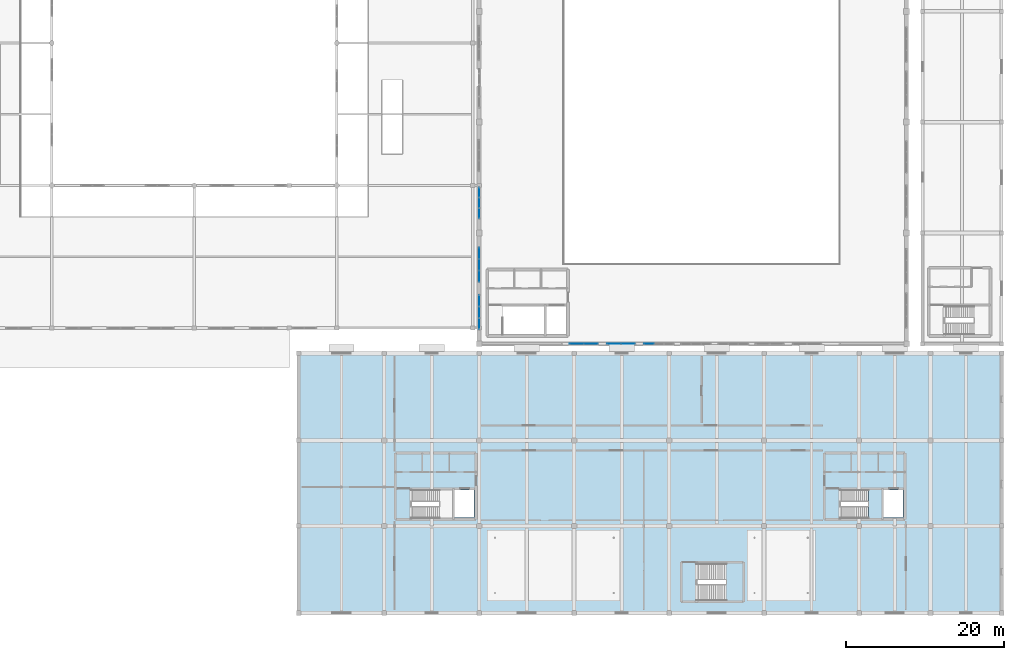
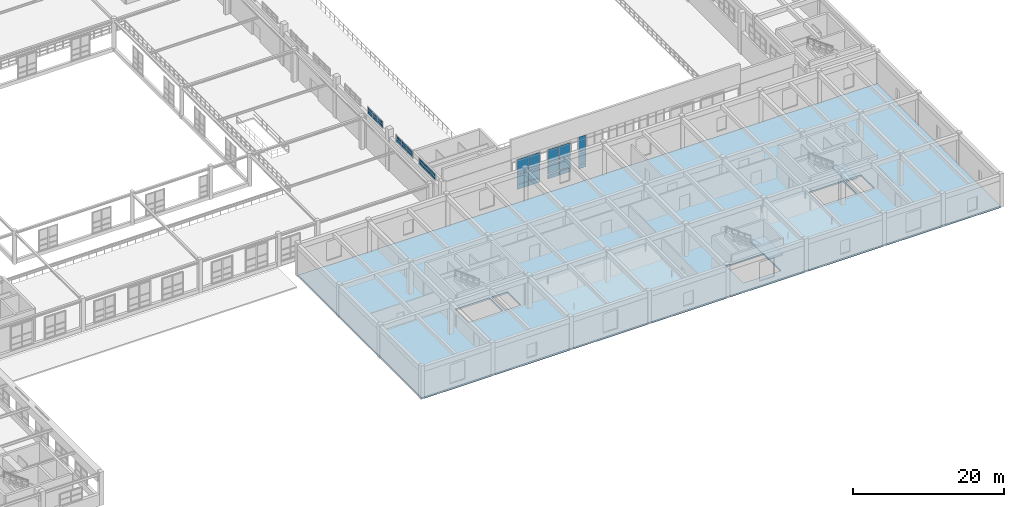
# One storey, part 162 of 197: 33 plates, 3 slabs, 8 elements without a shape of their own.
"""IFC4 building model written with IfcOpenShell, lengths in metres."""

from ifc_helpers import new_model, si_unit, derived_unit, direction, frame, origin, origin_2d, place, context, subcontext, project, spatial, polyline, rectangle, outline, extrude, material, layer, layer_set, type_object, element, aggregate, save


model = new_model("IFC4")

# Units and contexts
model_context = context("Model", 3, precision=1e-05, world=origin(), true_north=direction((0.0, 1.0)))
body_context = subcontext(model_context, "Body", "Model", "MODEL_VIEW")
ifc_project = project(units=[si_unit("LENGTHUNIT", "METRE"), si_unit("AREAUNIT", "SQUARE_METRE"), si_unit("VOLUMEUNIT", "CUBIC_METRE"), si_unit("PLANEANGLEUNIT", "RADIAN"), si_unit("MASSUNIT", "GRAM", prefix="KILO"), derived_unit("THERMALTRANSMITTANCEUNIT", [(si_unit("POWERUNIT", "WATT"), 1), (si_unit("LENGTHUNIT", "METRE"), -2), (si_unit("THERMODYNAMICTEMPERATUREUNIT", "KELVIN"), -1)])], contexts=[model_context])

# Site, building, storey
site_placement = place(None, origin())
site = spatial("IfcSite", under=ifc_project, at=site_placement, CompositionType="ELEMENT")
building_placement = place(site_placement, origin())
building = spatial("IfcBuilding", under=site, at=building_placement, Name="Almenara Railside Exhibition Hall", CompositionType="ELEMENT")
storey_placement = place(building_placement, frame((0.0, 0.0, 5.39990234375)))
storey = spatial("IfcBuildingStorey", under=building, at=storey_placement, Name="L01", CompositionType="ELEMENT", Elevation=5.39990234375)

# Curtain wall, plates
ifc_material_1 = material(Name="Bronze-anodised aluminium and low-E double glazing", Category="aluminium")
ifc_layer_1 = layer(ifc_material_1, 0.179931640625, Name="Bronze-anodised aluminium and low-E double glazing")
ifc_layer_set_1 = layer_set([ifc_layer_1], Name="Bronze-anodised aluminium and low-E double glazing")
curtain_wall_type_1 = type_object("IfcCurtainWallType", Name="East Hall Clerestory Curtain Wall 4000x2100", PredefinedType="NOTDEFINED", material=ifc_layer_set_1)
curtain_wall_1_placement = place(storey_placement, origin())
curtain_wall_1 = element("IfcCurtainWall", 1, at=curtain_wall_1_placement, inside=storey, type_object=curtain_wall_type_1, Name="Curtain wall CW-CL4-055", PredefinedType="NOTDEFINED")
ifc_material_2 = material(Name="Solar-control acoustic laminated glazing", Category="glass")
ifc_layer_2 = layer(ifc_material_2, 0.031982421875, Name="Solar-control acoustic laminated glazing")
ifc_layer_set_2 = layer_set([ifc_layer_2], Name="Solar-control acoustic laminated glazing")
plate_type_1 = type_object("IfcPlateType", Name="Acoustic Low-E Double Glazing Panel 32mm", PredefinedType="CURTAIN_PANEL", material=ifc_layer_set_2)
plate_1_placement = place(storey_placement, frame((138.0, 50.484130859375, 5.593994140625), z_axis=(0.0, 0.0, 1.0), x_axis=(0.0, 1.0, 0.0)))
plate_1 = element("IfcPlate", 2, at=plate_1_placement, type_object=plate_type_1, Name="CW-CL4-055 panel 1.1", PredefinedType="CURTAIN_PANEL", context=body_context, shape_type="SweptSolid", body=[
    extrude(rectangle(XDim=1.244384765625, YDim=0.031982421875, at=origin_2d()), origin(), (0.0, 0.0, 1.0), 0.39208984375),
])
plate_2_placement = place(storey_placement, frame((138.0, 50.484130859375, 6.114013671875), z_axis=(0.0, 0.0, 1.0), x_axis=(0.0, 1.0, 0.0)))
plate_2 = element("IfcPlate", 3, at=plate_2_placement, type_object=plate_type_1, Name="CW-CL4-055 panel 1.2", PredefinedType="CURTAIN_PANEL", context=body_context, shape_type="SweptSolid", body=[
    extrude(rectangle(XDim=1.244384765625, YDim=0.031982421875, at=origin_2d()), origin(), (0.0, 0.0, 1.0), 0.39208984375),
])
plate_3_placement = place(storey_placement, frame((138.0, 51.800048828125, 5.593994140625), z_axis=(0.0, 0.0, 1.0), x_axis=(0.0, 1.0, 0.0)))
plate_3 = element("IfcPlate", 4, at=plate_3_placement, type_object=plate_type_1, Name="CW-CL4-055 panel 2.1", PredefinedType="CURTAIN_PANEL", context=body_context, shape_type="SweptSolid", body=[
    extrude(rectangle(XDim=1.279296875, YDim=0.031982421875, at=origin_2d()), origin(), (0.0, 0.0, 1.0), 0.39208984375),
])
plate_4_placement = place(storey_placement, frame((138.0, 51.800048828125, 6.114013671875), z_axis=(0.0, 0.0, 1.0), x_axis=(0.0, 1.0, 0.0)))
plate_4 = element("IfcPlate", 5, at=plate_4_placement, type_object=plate_type_1, Name="CW-CL4-055 panel 2.2", PredefinedType="CURTAIN_PANEL", context=body_context, shape_type="SweptSolid", body=[
    extrude(rectangle(XDim=1.279296875, YDim=0.031982421875, at=origin_2d()), origin(), (0.0, 0.0, 1.0), 0.39208984375),
])
plate_5_placement = place(storey_placement, frame((138.0, 53.11572265625, 5.593994140625), z_axis=(0.0, 0.0, 1.0), x_axis=(0.0, 1.0, 0.0)))
plate_5 = element("IfcPlate", 6, at=plate_5_placement, type_object=plate_type_1, Name="CW-CL4-055 panel 3.1", PredefinedType="CURTAIN_PANEL", context=body_context, shape_type="SweptSolid", body=[
    extrude(rectangle(XDim=1.244384765625, YDim=0.031982421875, at=origin_2d()), origin(), (0.0, 0.0, 1.0), 0.39208984375),
])
plate_6_placement = place(storey_placement, frame((138.0, 53.11572265625, 6.114013671875), z_axis=(0.0, 0.0, 1.0), x_axis=(0.0, 1.0, 0.0)))
plate_6 = element("IfcPlate", 7, at=plate_6_placement, type_object=plate_type_1, Name="CW-CL4-055 panel 3.2", PredefinedType="CURTAIN_PANEL", context=body_context, shape_type="SweptSolid", body=[
    extrude(rectangle(XDim=1.244384765625, YDim=0.031982421875, at=origin_2d()), origin(), (0.0, 0.0, 1.0), 0.39208984375),
])
aggregate(curtain_wall_1, [plate_1, plate_2, plate_3, plate_4, plate_5, plate_6])

ifc_layer_3 = layer(ifc_material_1, 0.179931640625, Name="Bronze-anodised aluminium and low-E double glazing")
ifc_layer_set_3 = layer_set([ifc_layer_3], Name="Bronze-anodised aluminium and low-E double glazing")
curtain_wall_type_2 = type_object("IfcCurtainWallType", Name="Scroll Gable Standard Curtain Wall 3600x5000", PredefinedType="NOTDEFINED", material=ifc_layer_set_3)
curtain_wall_2_placement = place(storey_placement, origin())
curtain_wall_2 = element("IfcCurtainWall", 8, at=curtain_wall_2_placement, inside=storey, type_object=curtain_wall_type_2, Name="Curtain wall CW-G2-080", PredefinedType="NOTDEFINED")
plate_7_placement = place(storey_placement, frame((155.017578125, 34.0, 1.194091796875), z_axis=(0.0, 0.0, 1.0), x_axis=(1.0, 0.0, 0.0)))
plate_7 = element("IfcPlate", 9, at=plate_7_placement, type_object=plate_type_1, Name="CW-G2-080 panel 1.1", PredefinedType="CURTAIN_PANEL", context=body_context, shape_type="SweptSolid", body=[
    extrude(rectangle(XDim=1.7109375, YDim=0.031982421875, at=origin_2d()), origin(), (0.0, 0.0, 1.0), 0.64208984375),
])
plate_8_placement = place(storey_placement, frame((155.017578125, 34.0, 1.964111328125), z_axis=(0.0, 0.0, 1.0), x_axis=(1.0, 0.0, 0.0)))
plate_8 = element("IfcPlate", 10, at=plate_8_placement, type_object=plate_type_1, Name="CW-G2-080 panel 1.2", PredefinedType="CURTAIN_PANEL", context=body_context, shape_type="SweptSolid", body=[
    extrude(rectangle(XDim=1.7109375, YDim=0.031982421875, at=origin_2d()), origin(), (0.0, 0.0, 1.0), 1.52197265625),
])
plate_9_placement = place(storey_placement, frame((155.017578125, 34.0, 3.614013671875), z_axis=(0.0, 0.0, 1.0), x_axis=(1.0, 0.0, 0.0)))
plate_9 = element("IfcPlate", 11, at=plate_9_placement, type_object=plate_type_1, Name="CW-G2-080 panel 1.3", PredefinedType="CURTAIN_PANEL", context=body_context, shape_type="SweptSolid", body=[
    extrude(rectangle(XDim=1.7109375, YDim=0.031982421875, at=origin_2d()), origin(), (0.0, 0.0, 1.0), 2.2919921875),
])
plate_10_placement = place(storey_placement, frame((156.782470703125, 34.0, 1.194091796875), z_axis=(0.0, 0.0, 1.0), x_axis=(1.0, 0.0, 0.0)))
plate_10 = element("IfcPlate", 12, at=plate_10_placement, type_object=plate_type_1, Name="CW-G2-080 panel 2.1", PredefinedType="CURTAIN_PANEL", context=body_context, shape_type="SweptSolid", body=[
    extrude(rectangle(XDim=1.7109375, YDim=0.031982421875, at=origin_2d()), origin(), (0.0, 0.0, 1.0), 0.64208984375),
])
plate_11_placement = place(storey_placement, frame((156.782470703125, 34.0, 1.964111328125), z_axis=(0.0, 0.0, 1.0), x_axis=(1.0, 0.0, 0.0)))
plate_11 = element("IfcPlate", 13, at=plate_11_placement, type_object=plate_type_1, Name="CW-G2-080 panel 2.2", PredefinedType="CURTAIN_PANEL", context=body_context, shape_type="SweptSolid", body=[
    extrude(rectangle(XDim=1.7109375, YDim=0.031982421875, at=origin_2d()), origin(), (0.0, 0.0, 1.0), 1.52197265625),
])
plate_12_placement = place(storey_placement, frame((156.782470703125, 34.0, 3.614013671875), z_axis=(0.0, 0.0, 1.0), x_axis=(1.0, 0.0, 0.0)))
plate_12 = element("IfcPlate", 14, at=plate_12_placement, type_object=plate_type_1, Name="CW-G2-080 panel 2.3", PredefinedType="CURTAIN_PANEL", context=body_context, shape_type="SweptSolid", body=[
    extrude(rectangle(XDim=1.7109375, YDim=0.031982421875, at=origin_2d()), origin(), (0.0, 0.0, 1.0), 2.2919921875),
])
aggregate(curtain_wall_2, [plate_7, plate_8, plate_9, plate_10, plate_11, plate_12])

# Slab
ifc_material_3 = material(Name="Concrete C35/45", Category="concrete")
ifc_layer_4 = layer(ifc_material_3, 0.260009765625, Name="Concrete C35/45")
ifc_layer_set_4 = layer_set([ifc_layer_4], Name="Concrete C35/45")
slab_type_1 = type_object("IfcSlabType", Name="Congress Suspended Slab 260mm C35/45", PredefinedType="FLOOR", material=ifc_layer_set_4)
slab_1_placement = place(storey_placement, frame((0.0, 0.0, -0.260009765625)))
element("IfcSlab", 15, at=slab_1_placement, inside=storey, type_object=slab_type_1, Name="Congress South L01 slab 016", PredefinedType="FLOOR", context=body_context, shape_type="SweptSolid", body=[
    extrude(outline(polyline([(115.199951171875, 0.0), (204.0, 0.0), (204.0, 32.800048828125), (115.199951171875, 32.800048828125), (115.199951171875, 0.0)]), holes=[polyline([(129.350830078125, 12.050048828125), (134.60009765625, 12.050048828125), (134.60009765625, 15.5400390625), (129.350830078125, 15.5400390625), (129.350830078125, 12.050048828125)]), polyline([(134.89990234375, 12.050048828125), (137.35009765625, 12.050048828125), (137.35009765625, 15.5400390625), (134.89990234375, 15.5400390625), (134.89990234375, 12.050048828125)]), polyline([(183.55078125, 12.050048828125), (188.800048828125, 12.050048828125), (188.800048828125, 15.5400390625), (183.55078125, 15.5400390625), (183.55078125, 12.050048828125)]), polyline([(189.10009765625, 12.050048828125), (191.550048828125, 12.050048828125), (191.550048828125, 15.5400390625), (189.10009765625, 15.5400390625), (189.10009765625, 12.050048828125)]), polyline([(165.45068359375, 1.64990234375), (171.25, 1.64990234375), (171.25, 6.25), (165.45068359375, 6.25), (165.45068359375, 1.64990234375)])]), origin(), (0.0, 0.0, 1.0), 0.260009765625),
])

# Curtain wall, plates
ifc_layer_5 = layer(ifc_material_1, 0.179931640625, Name="Bronze-anodised aluminium and low-E double glazing")
ifc_layer_set_5 = layer_set([ifc_layer_5], Name="Bronze-anodised aluminium and low-E double glazing")
curtain_wall_type_3 = type_object("IfcCurtainWallType", Name="East Hall Clerestory Curtain Wall 4400x2300", PredefinedType="NOTDEFINED", material=ifc_layer_set_5)
curtain_wall_3_placement = place(storey_placement, origin())
curtain_wall_3 = element("IfcCurtainWall", 16, at=curtain_wall_3_placement, inside=storey, type_object=curtain_wall_type_3, Name="Curtain wall CW-CL3-052", PredefinedType="NOTDEFINED")
ifc_material_4 = material(Name="Clear low-E laminated double glazing", Category="glass")
ifc_layer_6 = layer(ifc_material_4, 0.02392578125, Name="Clear low-E laminated double glazing")
ifc_layer_set_6 = layer_set([ifc_layer_6], Name="Clear low-E laminated double glazing")
plate_type_2 = type_object("IfcPlateType", Name="Courtyard Clear Double Glazing Panel 24mm", PredefinedType="CURTAIN_PANEL", material=ifc_layer_set_6)
plate_13_placement = place(storey_placement, frame((138.0, 42.549560546875, 5.57421875), z_axis=(0.0, 0.0, 1.0), x_axis=(0.0, 1.0, 0.0)))
plate_13 = element("IfcPlate", 17, at=plate_13_placement, type_object=plate_type_2, Name="CW-CL3-052 panel 1.1", PredefinedType="CURTAIN_PANEL", context=body_context, shape_type="SweptSolid", body=[
    extrude(rectangle(XDim=1.38525390625, YDim=0.02392578125, at=origin_2d()), origin(), (0.0, 0.0, 1.0), 0.422119140625),
])
plate_14_placement = place(storey_placement, frame((138.0, 42.549560546875, 6.10400390625), z_axis=(0.0, 0.0, 1.0), x_axis=(0.0, 1.0, 0.0)))
plate_14 = element("IfcPlate", 18, at=plate_14_placement, type_object=plate_type_2, Name="CW-CL3-052 panel 1.2", PredefinedType="CURTAIN_PANEL", context=body_context, shape_type="SweptSolid", body=[
    extrude(rectangle(XDim=1.38525390625, YDim=0.02392578125, at=origin_2d()), origin(), (0.0, 0.0, 1.0), 0.422119140625),
])
plate_15_placement = place(storey_placement, frame((138.0, 44.0, 5.57421875), z_axis=(0.0, 0.0, 1.0), x_axis=(0.0, 1.0, 0.0)))
plate_15 = element("IfcPlate", 19, at=plate_15_placement, type_object=plate_type_2, Name="CW-CL3-052 panel 2.1", PredefinedType="CURTAIN_PANEL", context=body_context, shape_type="SweptSolid", body=[
    extrude(rectangle(XDim=1.417724609375, YDim=0.02392578125, at=origin_2d()), origin(), (0.0, 0.0, 1.0), 0.422119140625),
])
plate_16_placement = place(storey_placement, frame((138.0, 44.0, 6.10400390625), z_axis=(0.0, 0.0, 1.0), x_axis=(0.0, 1.0, 0.0)))
plate_16 = element("IfcPlate", 20, at=plate_16_placement, type_object=plate_type_2, Name="CW-CL3-052 panel 2.2", PredefinedType="CURTAIN_PANEL", context=body_context, shape_type="SweptSolid", body=[
    extrude(rectangle(XDim=1.417724609375, YDim=0.02392578125, at=origin_2d()), origin(), (0.0, 0.0, 1.0), 0.422119140625),
])
plate_17_placement = place(storey_placement, frame((138.0, 45.450439453125, 5.57421875), z_axis=(0.0, 0.0, 1.0), x_axis=(0.0, 1.0, 0.0)))
plate_17 = element("IfcPlate", 21, at=plate_17_placement, type_object=plate_type_2, Name="CW-CL3-052 panel 3.1", PredefinedType="CURTAIN_PANEL", context=body_context, shape_type="SweptSolid", body=[
    extrude(rectangle(XDim=1.38525390625, YDim=0.02392578125, at=origin_2d()), origin(), (0.0, 0.0, 1.0), 0.422119140625),
])
plate_18_placement = place(storey_placement, frame((138.0, 45.450439453125, 6.10400390625), z_axis=(0.0, 0.0, 1.0), x_axis=(0.0, 1.0, 0.0)))
plate_18 = element("IfcPlate", 22, at=plate_18_placement, type_object=plate_type_2, Name="CW-CL3-052 panel 3.2", PredefinedType="CURTAIN_PANEL", context=body_context, shape_type="SweptSolid", body=[
    extrude(rectangle(XDim=1.38525390625, YDim=0.02392578125, at=origin_2d()), origin(), (0.0, 0.0, 1.0), 0.422119140625),
])
aggregate(curtain_wall_3, [plate_13, plate_14, plate_15, plate_16, plate_17, plate_18])

curtain_wall_4_placement = place(storey_placement, origin())
curtain_wall_4 = element("IfcCurtainWall", 23, at=curtain_wall_4_placement, inside=storey, type_object=curtain_wall_type_2, Name="Curtain wall CW-G2-079", PredefinedType="NOTDEFINED")
ifc_material_5 = material(Name="Bronze-anodised insulated aluminium spandrel", Category="aluminium")
ifc_layer_7 = layer(ifc_material_5, 0.034912109375, Name="Bronze-anodised insulated aluminium spandrel")
ifc_layer_set_7 = layer_set([ifc_layer_7], Name="Bronze-anodised insulated aluminium spandrel")
plate_type_3 = type_object("IfcPlateType", Name="Insulated Stucco-Tone Spandrel Panel 35mm", PredefinedType="CURTAIN_PANEL", material=ifc_layer_set_7)
plate_19_placement = place(storey_placement, frame((150.313720703125, 34.0, 1.1240234375), z_axis=(0.0, 0.0, 1.0), x_axis=(1.0, 0.0, 0.0)))
plate_19 = element("IfcPlate", 24, at=plate_19_placement, type_object=plate_type_3, Name="CW-G2-079 panel 1.1", PredefinedType="CURTAIN_PANEL", context=body_context, shape_type="SweptSolid", body=[
    extrude(rectangle(XDim=1.7333984375, YDim=0.034912109375, at=origin_2d()), origin(), (0.0, 0.0, 1.0), 0.7470703125),
])
plate_20_placement = place(storey_placement, frame((150.313720703125, 34.0, 1.92919921875), z_axis=(0.0, 0.0, 1.0), x_axis=(1.0, 0.0, 0.0)))
plate_20 = element("IfcPlate", 25, at=plate_20_placement, type_object=plate_type_3, Name="CW-G2-079 panel 1.2", PredefinedType="CURTAIN_PANEL", context=body_context, shape_type="SweptSolid", body=[
    extrude(rectangle(XDim=1.7333984375, YDim=0.034912109375, at=origin_2d()), origin(), (0.0, 0.0, 1.0), 1.592041015625),
])
plate_21_placement = place(storey_placement, frame((150.313720703125, 34.0, 3.5791015625), z_axis=(0.0, 0.0, 1.0), x_axis=(1.0, 0.0, 0.0)))
plate_21 = element("IfcPlate", 26, at=plate_21_placement, type_object=plate_type_3, Name="CW-G2-079 panel 1.3", PredefinedType="CURTAIN_PANEL", context=body_context, shape_type="SweptSolid", body=[
    extrude(rectangle(XDim=1.7333984375, YDim=0.034912109375, at=origin_2d()), origin(), (0.0, 0.0, 1.0), 2.39697265625),
])
plate_22_placement = place(storey_placement, frame((152.086181640625, 34.0, 1.1240234375), z_axis=(0.0, 0.0, 1.0), x_axis=(1.0, 0.0, 0.0)))
plate_22 = element("IfcPlate", 27, at=plate_22_placement, type_object=plate_type_3, Name="CW-G2-079 panel 2.1", PredefinedType="CURTAIN_PANEL", context=body_context, shape_type="SweptSolid", body=[
    extrude(rectangle(XDim=1.7333984375, YDim=0.034912109375, at=origin_2d()), origin(), (0.0, 0.0, 1.0), 0.7470703125),
])
plate_23_placement = place(storey_placement, frame((152.086181640625, 34.0, 1.92919921875), z_axis=(0.0, 0.0, 1.0), x_axis=(1.0, 0.0, 0.0)))
plate_23 = element("IfcPlate", 28, at=plate_23_placement, type_object=plate_type_3, Name="CW-G2-079 panel 2.2", PredefinedType="CURTAIN_PANEL", context=body_context, shape_type="SweptSolid", body=[
    extrude(rectangle(XDim=1.7333984375, YDim=0.034912109375, at=origin_2d()), origin(), (0.0, 0.0, 1.0), 1.592041015625),
])
plate_24_placement = place(storey_placement, frame((152.086181640625, 34.0, 3.5791015625), z_axis=(0.0, 0.0, 1.0), x_axis=(1.0, 0.0, 0.0)))
plate_24 = element("IfcPlate", 29, at=plate_24_placement, type_object=plate_type_3, Name="CW-G2-079 panel 2.3", PredefinedType="CURTAIN_PANEL", context=body_context, shape_type="SweptSolid", body=[
    extrude(rectangle(XDim=1.7333984375, YDim=0.034912109375, at=origin_2d()), origin(), (0.0, 0.0, 1.0), 2.39697265625),
])
aggregate(curtain_wall_4, [plate_19, plate_20, plate_21, plate_22, plate_23, plate_24])

curtain_wall_5_placement = place(storey_placement, origin())
curtain_wall_5 = element("IfcCurtainWall", 30, at=curtain_wall_5_placement, inside=storey, type_object=curtain_wall_type_3, Name="Curtain wall CW-CL3-051", PredefinedType="NOTDEFINED")
ifc_material_6 = material(Name="Solar-control low-E laminated double glazing", Category="glass")
ifc_layer_8 = layer(ifc_material_6, 0.028076171875, Name="Solar-control low-E laminated double glazing")
ifc_layer_set_8 = layer_set([ifc_layer_8], Name="Solar-control low-E laminated double glazing")
plate_type_4 = type_object("IfcPlateType", Name="Low-E Solar Control Double Glazing Panel 28mm", PredefinedType="CURTAIN_PANEL", material=ifc_layer_set_8)
plate_25_placement = place(storey_placement, frame((138.0, 36.55078125, 5.593994140625), z_axis=(0.0, 0.0, 1.0), x_axis=(0.0, 1.0, 0.0)))
plate_25 = element("IfcPlate", 31, at=plate_25_placement, type_object=plate_type_4, Name="CW-CL3-051 panel 1.1", PredefinedType="CURTAIN_PANEL", context=body_context, shape_type="SweptSolid", body=[
    extrude(rectangle(XDim=1.377685546875, YDim=0.028076171875, at=origin_2d()), origin(), (0.0, 0.0, 1.0), 0.39208984375),
])
plate_26_placement = place(storey_placement, frame((138.0, 36.55078125, 6.114013671875), z_axis=(0.0, 0.0, 1.0), x_axis=(0.0, 1.0, 0.0)))
plate_26 = element("IfcPlate", 32, at=plate_26_placement, type_object=plate_type_4, Name="CW-CL3-051 panel 1.2", PredefinedType="CURTAIN_PANEL", context=body_context, shape_type="SweptSolid", body=[
    extrude(rectangle(XDim=1.377685546875, YDim=0.028076171875, at=origin_2d()), origin(), (0.0, 0.0, 1.0), 0.39208984375),
])
plate_27_placement = place(storey_placement, frame((138.0, 38.0, 5.593994140625), z_axis=(0.0, 0.0, 1.0), x_axis=(0.0, 1.0, 0.0)))
plate_27 = element("IfcPlate", 33, at=plate_27_placement, type_object=plate_type_4, Name="CW-CL3-051 panel 2.1", PredefinedType="CURTAIN_PANEL", context=body_context, shape_type="SweptSolid", body=[
    extrude(rectangle(XDim=1.41259765625, YDim=0.028076171875, at=origin_2d()), origin(), (0.0, 0.0, 1.0), 0.39208984375),
])
plate_28_placement = place(storey_placement, frame((138.0, 38.0, 6.114013671875), z_axis=(0.0, 0.0, 1.0), x_axis=(0.0, 1.0, 0.0)))
plate_28 = element("IfcPlate", 34, at=plate_28_placement, type_object=plate_type_4, Name="CW-CL3-051 panel 2.2", PredefinedType="CURTAIN_PANEL", context=body_context, shape_type="SweptSolid", body=[
    extrude(rectangle(XDim=1.41259765625, YDim=0.028076171875, at=origin_2d()), origin(), (0.0, 0.0, 1.0), 0.39208984375),
])
plate_29_placement = place(storey_placement, frame((138.0, 39.44921875, 5.593994140625), z_axis=(0.0, 0.0, 1.0), x_axis=(0.0, 1.0, 0.0)))
plate_29 = element("IfcPlate", 35, at=plate_29_placement, type_object=plate_type_4, Name="CW-CL3-051 panel 3.1", PredefinedType="CURTAIN_PANEL", context=body_context, shape_type="SweptSolid", body=[
    extrude(rectangle(XDim=1.377685546875, YDim=0.028076171875, at=origin_2d()), origin(), (0.0, 0.0, 1.0), 0.39208984375),
])
plate_30_placement = place(storey_placement, frame((138.0, 39.44921875, 6.114013671875), z_axis=(0.0, 0.0, 1.0), x_axis=(0.0, 1.0, 0.0)))
plate_30 = element("IfcPlate", 36, at=plate_30_placement, type_object=plate_type_4, Name="CW-CL3-051 panel 3.2", PredefinedType="CURTAIN_PANEL", context=body_context, shape_type="SweptSolid", body=[
    extrude(rectangle(XDim=1.377685546875, YDim=0.028076171875, at=origin_2d()), origin(), (0.0, 0.0, 1.0), 0.39208984375),
])
aggregate(curtain_wall_5, [plate_25, plate_26, plate_27, plate_28, plate_29, plate_30])

ifc_layer_9 = layer(ifc_material_1, 0.179931640625, Name="Bronze-anodised aluminium and low-E double glazing")
ifc_layer_set_9 = layer_set([ifc_layer_9], Name="Bronze-anodised aluminium and low-E double glazing")
curtain_wall_type_4 = type_object("IfcCurtainWallType", Name="Scroll Gable Tall Curtain Wall 3800x5400", PredefinedType="NOTDEFINED", material=ifc_layer_set_9)
curtain_wall_6_placement = place(storey_placement, origin())
curtain_wall_6 = element("IfcCurtainWall", 37, at=curtain_wall_6_placement, inside=storey, type_object=curtain_wall_type_4, Name="Curtain wall CW-G1-081", PredefinedType="NOTDEFINED")
plate_31_placement = place(storey_placement, frame((159.449462890625, 34.0, 1.173828125), z_axis=(0.0, 0.0, 1.0), x_axis=(1.0, 0.0, 0.0)))
plate_31 = element("IfcPlate", 38, at=plate_31_placement, type_object=plate_type_4, Name="CW-G1-081 panel 1.1", PredefinedType="CURTAIN_PANEL", context=body_context, shape_type="SweptSolid", body=[
    extrude(rectangle(XDim=1.18505859375, YDim=0.028076171875, at=origin_2d()), origin(), (0.0, 0.0, 1.0), 0.672119140625),
])
plate_32_placement = place(storey_placement, frame((159.449462890625, 34.0, 1.9541015625), z_axis=(0.0, 0.0, 1.0), x_axis=(1.0, 0.0, 0.0)))
plate_32 = element("IfcPlate", 39, at=plate_32_placement, type_object=plate_type_4, Name="CW-G1-081 panel 1.2", PredefinedType="CURTAIN_PANEL", context=body_context, shape_type="SweptSolid", body=[
    extrude(rectangle(XDim=1.18505859375, YDim=0.028076171875, at=origin_2d()), origin(), (0.0, 0.0, 1.0), 1.741943359375),
])
plate_33_placement = place(storey_placement, frame((159.449462890625, 34.0, 3.80419921875), z_axis=(0.0, 0.0, 1.0), x_axis=(1.0, 0.0, 0.0)))
plate_33 = element("IfcPlate", 40, at=plate_33_placement, type_object=plate_type_4, Name="CW-G1-081 panel 1.3", PredefinedType="CURTAIN_PANEL", context=body_context, shape_type="SweptSolid", body=[
    extrude(rectangle(XDim=1.18505859375, YDim=0.028076171875, at=origin_2d()), origin(), (0.0, 0.0, 1.0), 2.52197265625),
])
aggregate(curtain_wall_6, [plate_31, plate_32, plate_33])

# Stair, slab
stair_type_1 = type_object("IfcStairType", Name="Core Dog-Leg Escape Stair 1520mm", PredefinedType="TWO_STRAIGHT_RUN_STAIR", material=ifc_material_3)
stair_1_placement = place(storey_placement, origin())
stair_1 = element("IfcStair", 41, at=stair_1_placement, inside=storey, type_object=stair_type_1, Name="Escape stair ST-C6-L01", PredefinedType="TWO_STRAIGHT_RUN_STAIR")
ifc_layer_10 = layer(ifc_material_3, 0.199951171875, Name="Concrete C35/45")
ifc_layer_set_10 = layer_set([ifc_layer_10], Name="Concrete C35/45")
slab_type_2 = type_object("IfcSlabType", Name="Stair Half-Landing Slab 200mm C35/45", PredefinedType="LANDING", material=ifc_layer_set_10)
slab_2_placement = place(storey_placement, frame((0.0, 0.0, 2.5)))
slab_2 = element("IfcSlab", 42, at=slab_2_placement, type_object=slab_type_2, Name="ST-C6-L01 landing 1", PredefinedType="LANDING", context=body_context, shape_type="SweptSolid", body=[
    extrude(outline(polyline([(187.159912109375, 11.85009765625), (188.889892578125, 11.85009765625), (188.889892578125, 15.679931640625), (187.159912109375, 15.679931640625), (187.159912109375, 11.85009765625)])), origin(), (0.0, 0.0, 1.0), 0.2001953125),
])
aggregate(stair_1, [slab_2])

stair_type_2 = type_object("IfcStairType", Name="Hall Escape Dog-Leg Stair 2100mm", PredefinedType="TWO_STRAIGHT_RUN_STAIR", material=ifc_material_3)
stair_2_placement = place(storey_placement, origin())
stair_2 = element("IfcStair", 43, at=stair_2_placement, inside=storey, type_object=stair_type_2, Name="Escape stair HST4-L01", PredefinedType="TWO_STRAIGHT_RUN_STAIR")
slab_3_placement = place(storey_placement, frame((0.0, 0.0, 2.5)))
slab_3 = element("IfcSlab", 44, at=slab_3_placement, type_object=slab_type_2, Name="HST4-L01 landing 1", PredefinedType="LANDING", context=body_context, shape_type="SweptSolid", body=[
    extrude(outline(polyline([(169.18994140625, 1.449951171875), (171.43994140625, 1.449951171875), (171.43994140625, 6.3798828125), (169.18994140625, 6.3798828125), (169.18994140625, 1.449951171875)])), origin(), (0.0, 0.0, 1.0), 0.2001953125),
])
aggregate(stair_2, [slab_3])

save(model, "model.ifc")
